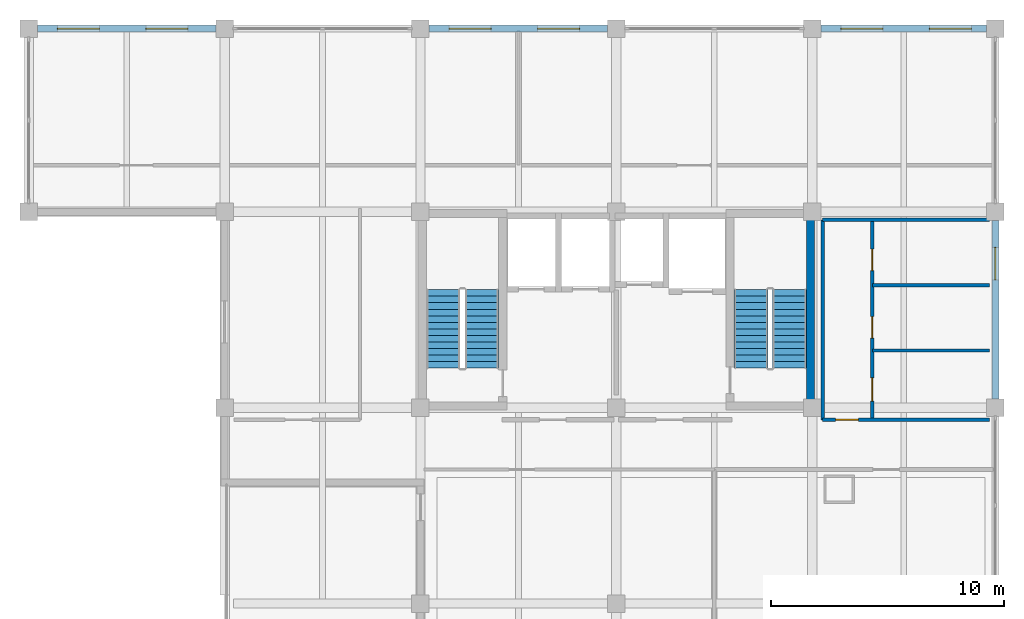
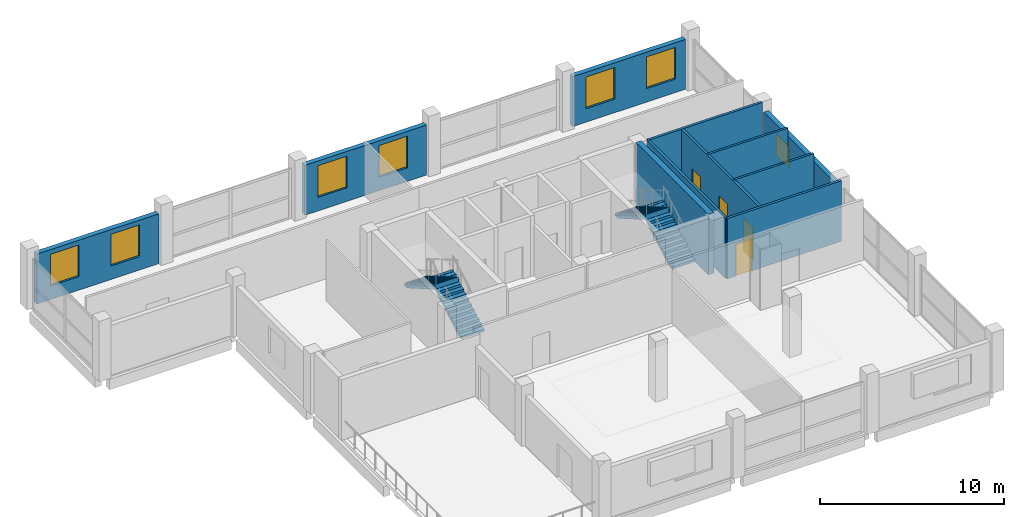
# One storey, part 8 of 10: 11 walls, 7 windows, 4 doors, 4 stair flights, 11 openings, 2 elements without a shape of their own.
"""IFC4 building model written with IfcOpenShell, lengths in metres."""

from ifc_helpers import new_model, si_unit, direction, frame, frame_2d, origin, place, context, subcontext, project, spatial, polyline, rectangle, outline, extrude, material, layer, layer_set, type_object, element, fill, aggregate, save


model = new_model("IFC4")

# Units and contexts
model_context = context("Model", 3, precision=1e-05, world=origin(), true_north=direction((0.0, 1.0)))
body_context = subcontext(model_context, "Body", "Model", "MODEL_VIEW")
ifc_project = project(units=[si_unit("LENGTHUNIT", "METRE"), si_unit("AREAUNIT", "SQUARE_METRE"), si_unit("VOLUMEUNIT", "CUBIC_METRE"), si_unit("PLANEANGLEUNIT", "RADIAN"), si_unit("MASSUNIT", "GRAM", prefix="KILO")], contexts=[model_context])

# Site, building, storey
site_placement = place(None, origin())
site = spatial("IfcSite", under=ifc_project, at=site_placement, CompositionType="ELEMENT")
building_placement = place(site_placement, origin())
building = spatial("IfcBuilding", under=site, at=building_placement, Name="Brinegate Botanical Conservatory", CompositionType="ELEMENT")
storey_placement = place(building_placement, frame((0.0, 0.0, 44.39990234375)))
storey = spatial("IfcBuildingStorey", under=building, at=storey_placement, Name="L11", CompositionType="ELEMENT", Elevation=44.39990234375)

# Wall, openings, windows
ifc_material_1 = material(Name="Insulated Minnan red clay brick masonry", Category="masonry")
ifc_layer_1 = layer(ifc_material_1, 0.300048828125, Name="Insulated Minnan red clay brick masonry", Category="masonry")
ifc_layer_set_1 = layer_set([ifc_layer_1], Name="Insulated Minnan red clay brick masonry")
wall_type_1 = type_object("IfcWallType", Name="Wall_EW-300B", PredefinedType="STANDARD", material=ifc_layer_set_1)
wall_1_placement = place(storey_placement, frame((122.375, 111.449951171875, 0.0), z_axis=(0.0, 0.0, 1.0), x_axis=(1.0, 0.0, 0.0)))
wall_1 = element("IfcWall", 1, at=wall_1_placement, inside=storey, type_object=wall_type_1, Name="Research lab north brick wall L11.1", PredefinedType="STANDARD", context=body_context, shape_type="SweptSolid", body=[
    extrude(rectangle(XDim=7.64990234375, YDim=0.300048828125, at=frame_2d((3.824951171875, 0.0))), origin(), (0.0, 0.0, 1.0), 3.31005859375),
])
opening_1_placement = place(wall_1_placement, frame((0.85009765625, 0.0, 0.89990234375)))
opening_1 = element("IfcOpeningElement", 2, at=opening_1_placement, cuts=wall_1, Name="Opening WN-01", PredefinedType="OPENING", context=body_context, shape_type="SweptSolid", body=[
    extrude(rectangle(XDim=1.800048828125, YDim=2.10009765625, at=frame_2d((0.89990234375, 1.050048828125))), frame((0.0, 0.159912109375, 0.0), z_axis=(0.0, -1.0, 0.0), x_axis=(1.0, 0.0, 0.0)), (0.0, 0.0, 1.0), 0.320068359375),
])
opening_2_placement = place(wall_1_placement, frame((4.64990234375, 0.0, 0.89990234375)))
opening_2 = element("IfcOpeningElement", 3, at=opening_2_placement, cuts=wall_1, Name="Opening WN-01", PredefinedType="OPENING", context=body_context, shape_type="SweptSolid", body=[
    extrude(rectangle(XDim=1.800048828125, YDim=2.10009765625, at=frame_2d((0.89990234375, 1.050048828125))), frame((0.0, 0.159912109375, 0.0), z_axis=(0.0, -1.0, 0.0), x_axis=(1.0, 0.0, 0.0)), (0.0, 0.0, 1.0), 0.320068359375),
])
ifc_material_2 = material(Name="Thermally broken aluminium-framed Low-E glass", Category="aluminium")
window_type_1 = type_object("IfcWindowType", Name="Win_WN-01", PartitioningType="DOUBLE_PANEL_VERTICAL", PredefinedType="WINDOW", material=ifc_material_2)
window_1_placement = place(opening_1_placement, origin())
window_1 = element("IfcWindow", 4, at=window_1_placement, inside=storey, type_object=window_type_1, Name="Research lab north window L11.1A", OverallHeight=2.10009765625, OverallWidth=1.800048828125, PartitioningType="DOUBLE_PANEL_VERTICAL", PredefinedType="WINDOW", context=body_context, shape_type="SweptSolid", body=[
    extrude(rectangle(XDim=1.800048828125, YDim=2.10009765625, at=frame_2d((0.89990234375, 1.050048828125))), frame((0.0, 0.030029296875, 0.0), z_axis=(0.0, -1.0, 0.0), x_axis=(1.0, 0.0, 0.0)), (0.0, 0.0, 1.0), 0.06005859375),
])
fill(opening_1, window_1)
window_2_placement = place(opening_2_placement, origin())
window_2 = element("IfcWindow", 5, at=window_2_placement, inside=storey, type_object=window_type_1, Name="Research lab north window L11.1B", OverallHeight=2.10009765625, OverallWidth=1.800048828125, PartitioningType="DOUBLE_PANEL_VERTICAL", PredefinedType="WINDOW", context=body_context, shape_type="SweptSolid", body=[
    extrude(rectangle(XDim=1.800048828125, YDim=2.10009765625, at=frame_2d((0.89990234375, 1.050048828125))), frame((0.0, 0.030029296875, 0.0), z_axis=(0.0, -1.0, 0.0), x_axis=(1.0, 0.0, 0.0)), (0.0, 0.0, 1.0), 0.06005859375),
])
fill(opening_2, window_2)

wall_2_placement = place(storey_placement, frame((139.175048828125, 111.449951171875, 0.0), z_axis=(0.0, 0.0, 1.0), x_axis=(1.0, 0.0, 0.0)))
wall_2 = element("IfcWall", 6, at=wall_2_placement, inside=storey, type_object=wall_type_1, Name="Research lab north brick wall L11.3", PredefinedType="STANDARD", context=body_context, shape_type="SweptSolid", body=[
    extrude(rectangle(XDim=7.64990234375, YDim=0.300048828125, at=frame_2d((3.824951171875, 0.0))), origin(), (0.0, 0.0, 1.0), 3.31005859375),
])
opening_3_placement = place(wall_2_placement, frame((0.85009765625, 0.0, 0.89990234375)))
opening_3 = element("IfcOpeningElement", 7, at=opening_3_placement, cuts=wall_2, Name="Opening WN-01", PredefinedType="OPENING", context=body_context, shape_type="SweptSolid", body=[
    extrude(rectangle(XDim=1.800048828125, YDim=2.10009765625, at=frame_2d((0.89990234375, 1.050048828125))), frame((0.0, 0.159912109375, 0.0), z_axis=(0.0, -1.0, 0.0), x_axis=(1.0, 0.0, 0.0)), (0.0, 0.0, 1.0), 0.320068359375),
])
opening_4_placement = place(wall_2_placement, frame((4.64990234375, 0.0, 0.89990234375)))
opening_4 = element("IfcOpeningElement", 8, at=opening_4_placement, cuts=wall_2, Name="Opening WN-01", PredefinedType="OPENING", context=body_context, shape_type="SweptSolid", body=[
    extrude(rectangle(XDim=1.800048828125, YDim=2.10009765625, at=frame_2d((0.89990234375, 1.050048828125))), frame((0.0, 0.159912109375, 0.0), z_axis=(0.0, -1.0, 0.0), x_axis=(1.0, 0.0, 0.0)), (0.0, 0.0, 1.0), 0.320068359375),
])
window_3_placement = place(opening_3_placement, origin())
window_3 = element("IfcWindow", 9, at=window_3_placement, inside=storey, type_object=window_type_1, Name="Research lab north window L11.3A", OverallHeight=2.10009765625, OverallWidth=1.800048828125, PartitioningType="DOUBLE_PANEL_VERTICAL", PredefinedType="WINDOW", context=body_context, shape_type="SweptSolid", body=[
    extrude(rectangle(XDim=1.800048828125, YDim=2.10009765625, at=frame_2d((0.89990234375, 1.050048828125))), frame((0.0, 0.030029296875, 0.0), z_axis=(0.0, -1.0, 0.0), x_axis=(1.0, 0.0, 0.0)), (0.0, 0.0, 1.0), 0.06005859375),
])
fill(opening_3, window_3)
window_4_placement = place(opening_4_placement, origin())
window_4 = element("IfcWindow", 10, at=window_4_placement, inside=storey, type_object=window_type_1, Name="Research lab north window L11.3B", OverallHeight=2.10009765625, OverallWidth=1.800048828125, PartitioningType="DOUBLE_PANEL_VERTICAL", PredefinedType="WINDOW", context=body_context, shape_type="SweptSolid", body=[
    extrude(rectangle(XDim=1.800048828125, YDim=2.10009765625, at=frame_2d((0.89990234375, 1.050048828125))), frame((0.0, 0.030029296875, 0.0), z_axis=(0.0, -1.0, 0.0), x_axis=(1.0, 0.0, 0.0)), (0.0, 0.0, 1.0), 0.06005859375),
])
fill(opening_4, window_4)

wall_3_placement = place(storey_placement, frame((155.97509765625, 111.449951171875, 0.0), z_axis=(0.0, 0.0, 1.0), x_axis=(1.0, 0.0, 0.0)))
wall_3 = element("IfcWall", 11, at=wall_3_placement, inside=storey, type_object=wall_type_1, Name="Research lab north brick wall L11.5", PredefinedType="STANDARD", context=body_context, shape_type="SweptSolid", body=[
    extrude(rectangle(XDim=7.099853515625, YDim=0.300048828125, at=frame_2d((3.5498046875, 0.0))), origin(), (0.0, 0.0, 1.0), 3.31005859375),
])
opening_5_placement = place(wall_3_placement, frame((0.85009765625, 0.0, 0.89990234375)))
opening_5 = element("IfcOpeningElement", 12, at=opening_5_placement, cuts=wall_3, Name="Opening WN-01", PredefinedType="OPENING", context=body_context, shape_type="SweptSolid", body=[
    extrude(rectangle(XDim=1.800048828125, YDim=2.10009765625, at=frame_2d((0.89990234375, 1.050048828125))), frame((0.0, 0.159912109375, 0.0), z_axis=(0.0, -1.0, 0.0), x_axis=(1.0, 0.0, 0.0)), (0.0, 0.0, 1.0), 0.320068359375),
])
opening_6_placement = place(wall_3_placement, frame((4.64990234375, 0.0, 0.89990234375)))
opening_6 = element("IfcOpeningElement", 13, at=opening_6_placement, cuts=wall_3, Name="Opening WN-01", PredefinedType="OPENING", context=body_context, shape_type="SweptSolid", body=[
    extrude(rectangle(XDim=1.800048828125, YDim=2.10009765625, at=frame_2d((0.89990234375, 1.050048828125))), frame((0.0, 0.159912109375, 0.0), z_axis=(0.0, -1.0, 0.0), x_axis=(1.0, 0.0, 0.0)), (0.0, 0.0, 1.0), 0.320068359375),
])
window_5_placement = place(opening_5_placement, origin())
window_5 = element("IfcWindow", 14, at=window_5_placement, inside=storey, type_object=window_type_1, Name="Research lab north window L11.5A", OverallHeight=2.10009765625, OverallWidth=1.800048828125, PartitioningType="DOUBLE_PANEL_VERTICAL", PredefinedType="WINDOW", context=body_context, shape_type="SweptSolid", body=[
    extrude(rectangle(XDim=1.800048828125, YDim=2.10009765625, at=frame_2d((0.89990234375, 1.050048828125))), frame((0.0, 0.030029296875, 0.0), z_axis=(0.0, -1.0, 0.0), x_axis=(1.0, 0.0, 0.0)), (0.0, 0.0, 1.0), 0.06005859375),
])
fill(opening_5, window_5)
window_6_placement = place(opening_6_placement, origin())
window_6 = element("IfcWindow", 15, at=window_6_placement, inside=storey, type_object=window_type_1, Name="Research lab north window L11.5B", OverallHeight=2.10009765625, OverallWidth=1.800048828125, PartitioningType="DOUBLE_PANEL_VERTICAL", PredefinedType="WINDOW", context=body_context, shape_type="SweptSolid", body=[
    extrude(rectangle(XDim=1.800048828125, YDim=2.10009765625, at=frame_2d((0.89990234375, 1.050048828125))), frame((0.0, 0.030029296875, 0.0), z_axis=(0.0, -1.0, 0.0), x_axis=(1.0, 0.0, 0.0)), (0.0, 0.0, 1.0), 0.06005859375),
])
fill(opening_6, window_6)

# Wall, opening, window
wall_4_placement = place(storey_placement, frame((163.449951171875, 103.22509765625, 0.0), z_axis=(0.0, 0.0, 1.0), x_axis=(0.0, -1.0, 0.0)))
wall_4 = element("IfcWall", 16, at=wall_4_placement, inside=storey, type_object=wall_type_1, Name="Tower east brick wall L11.3", PredefinedType="STANDARD", context=body_context, shape_type="SweptSolid", body=[
    extrude(rectangle(XDim=7.650146484375, YDim=0.300048828125, at=frame_2d((3.8251953125, 0.0))), origin(), (0.0, 0.0, 1.0), 3.31005859375),
])
opening_7_placement = place(wall_4_placement, frame((1.14990234375, 0.0, 1.10009765625)))
opening_7 = element("IfcOpeningElement", 17, at=opening_7_placement, cuts=wall_4, Name="Opening WN-16", PredefinedType="OPENING", context=body_context, shape_type="SweptSolid", body=[
    extrude(rectangle(XDim=1.39990234375, YDim=1.39990234375, at=frame_2d((0.699951171875, 0.699951171875))), frame((0.0, 0.159912109375, 0.0), z_axis=(0.0, -1.0, 0.0), x_axis=(1.0, 0.0, 0.0)), (0.0, 0.0, 1.0), 0.320068359375),
])
window_type_2 = type_object("IfcWindowType", Name="Win_WN-16", PartitioningType="SINGLE_PANEL", PredefinedType="WINDOW", material=ifc_material_2)
window_7_placement = place(opening_7_placement, origin())
window_7 = element("IfcWindow", 18, at=window_7_placement, inside=storey, type_object=window_type_2, Name="Tower east window L11.3", OverallHeight=1.39990234375, OverallWidth=1.39990234375, PartitioningType="SINGLE_PANEL", PredefinedType="WINDOW", context=body_context, shape_type="SweptSolid", body=[
    extrude(rectangle(XDim=1.39990234375, YDim=1.39990234375, at=frame_2d((0.699951171875, 0.699951171875))), frame((0.0, 0.030029296875, 0.0), z_axis=(0.0, -1.0, 0.0), x_axis=(1.0, 0.0, 0.0)), (0.0, 0.0, 1.0), 0.06005859375),
])
fill(opening_7, window_7)

# Walls
ifc_material_3 = material(Name="Gypsum-clad steel-stud partition", Category="steel")
ifc_layer_2 = layer(ifc_material_3, 0.135009765625, Name="Gypsum-clad steel-stud partition", Category="steel")
ifc_layer_set_2 = layer_set([ifc_layer_2], Name="Gypsum-clad steel-stud partition")
wall_type_2 = type_object("IfcWallType", Name="Wall_PW-135", PredefinedType="PARTITIONING", material=ifc_layer_set_2)
for number, where, z_axis, x_axis, name in (
    (19, (158.179931640625, 97.64990234375, 0.0), (0.0, 0.0, 1.0), (1.0, 0.0, 0.0), "Interior partition P-L11-WCD-9765"),
    (20, (158.179931640625, 100.449951171875, 0.0), (0.0, 0.0, 1.0), (1.0, 0.0, 0.0), "Interior partition P-L11-WCD-10045"),
):
    element("IfcWall", number, at=place(storey_placement, frame(where, z_axis=z_axis, x_axis=x_axis)), inside=storey, type_object=wall_type_2, Name=name, PredefinedType="PARTITIONING", context=body_context, shape_type="SweptSolid", body=[
        extrude(rectangle(XDim=5.02001953125, YDim=0.135009765625, at=frame_2d((2.510009765625, 0.0))), origin(), (0.0, 0.0, 1.0), 4.010009765625),
    ])

# Wall, opening, door
ifc_material_4 = material(Name="Moisture-resistant cement-board partition", Category="gypsum")
ifc_layer_3 = layer(ifc_material_4, 0.14990234375, Name="Moisture-resistant cement-board partition", Category="gypsum")
ifc_layer_set_3 = layer_set([ifc_layer_3], Name="Moisture-resistant cement-board partition")
wall_type_3 = type_object("IfcWallType", Name="Wall_PW-150W", PredefinedType="PARTITIONING", material=ifc_layer_set_3)
wall_5_placement = place(storey_placement, frame((156.050048828125, 94.679931640625, 0.0), z_axis=(0.0, 0.0, 1.0), x_axis=(1.0, 0.0, 0.0)))
wall_5 = element("IfcWall", 21, at=wall_5_placement, inside=storey, type_object=wall_type_3, Name="Interior partition P-L11-WCS", PredefinedType="PARTITIONING", context=body_context, shape_type="SweptSolid", body=[
    extrude(rectangle(XDim=7.14990234375, YDim=0.14990234375, at=frame_2d((3.574951171875, 0.0))), origin(), (0.0, 0.0, 1.0), 4.010009765625),
])
opening_8_placement = place(wall_5_placement, frame((0.550048828125, 0.0, 0.0)))
opening_8 = element("IfcOpeningElement", 22, at=opening_8_placement, cuts=wall_5, Name="Opening DR-03", PredefinedType="OPENING", context=body_context, shape_type="SweptSolid", body=[
    extrude(rectangle(XDim=0.97998046875, YDim=2.1201171875, at=frame_2d((0.489990234375, 1.06005859375))), frame((0.0, 0.0849609375, 0.0), z_axis=(0.0, -1.0, 0.0), x_axis=(1.0, 0.0, 0.0)), (0.0, 0.0, 1.0), 0.169921875),
])
ifc_material_5 = material(Name="Steel-core hardwood smoke-sealed fire door", Category="steel")
door_type_1 = type_object("IfcDoorType", Name="Door_DR-03", OperationType="NOTDEFINED", PredefinedType="DOOR", material=ifc_material_5)
door_1_placement = place(opening_8_placement, origin())
door_1 = element("IfcDoor", 23, at=door_1_placement, inside=storey, type_object=door_type_1, Name="DR-P-L11-WCS-1", OperationType="SINGLE_SWING_LEFT", OverallHeight=2.1201171875, OverallWidth=0.97998046875, PredefinedType="DOOR", context=body_context, shape_type="SweptSolid", body=[
    extrude(rectangle(XDim=0.97998046875, YDim=2.1201171875, at=frame_2d((0.489990234375, 1.06005859375))), frame((0.0, 0.02490234375, 0.0), z_axis=(0.0, -1.0, 0.0), x_axis=(1.0, 0.0, 0.0)), (0.0, 0.0, 1.0), 0.050048828125),
])
fill(opening_8, door_1)

# Wall, openings, doors
wall_6_placement = place(storey_placement, frame((158.179931640625, 94.679931640625, 0.0), z_axis=(0.0, 0.0, 1.0), x_axis=(0.0, 1.0, 0.0)))
wall_6 = element("IfcWall", 24, at=wall_6_placement, inside=storey, type_object=wall_type_3, Name="Interior partition P-L11-WCW", PredefinedType="PARTITIONING", context=body_context, shape_type="SweptSolid", body=[
    extrude(rectangle(XDim=8.570068359375, YDim=0.14990234375, at=frame_2d((4.28515625, 0.0))), origin(), (0.0, 0.0, 1.0), 4.010009765625),
])
opening_9_placement = place(wall_6_placement, frame((0.800048828125, 0.0, 0.0)))
opening_9 = element("IfcOpeningElement", 25, at=opening_9_placement, cuts=wall_6, Name="Opening DR-ACC", PredefinedType="OPENING", context=body_context, shape_type="SweptSolid", body=[
    extrude(rectangle(XDim=1.0, YDim=2.1201171875, at=frame_2d((0.5, 1.06005859375))), frame((0.0, 0.0849609375, 0.0), z_axis=(0.0, -1.0, 0.0), x_axis=(1.0, 0.0, 0.0)), (0.0, 0.0, 1.0), 0.169921875),
])
opening_10_placement = place(wall_6_placement, frame((3.5, 0.0, 0.0)))
opening_10 = element("IfcOpeningElement", 26, at=opening_10_placement, cuts=wall_6, Name="Opening DR-04", PredefinedType="OPENING", context=body_context, shape_type="SweptSolid", body=[
    extrude(rectangle(XDim=0.919921875, YDim=2.10009765625, at=frame_2d((0.4599609375, 1.050048828125))), frame((0.0, 0.0849609375, 0.0), z_axis=(0.0, -1.0, 0.0), x_axis=(1.0, 0.0, 0.0)), (0.0, 0.0, 1.0), 0.169921875),
])
opening_11_placement = place(wall_6_placement, frame((6.39990234375, 0.0, 0.0)))
opening_11 = element("IfcOpeningElement", 27, at=opening_11_placement, cuts=wall_6, Name="Opening DR-04", PredefinedType="OPENING", context=body_context, shape_type="SweptSolid", body=[
    extrude(rectangle(XDim=0.919921875, YDim=2.10009765625, at=frame_2d((0.4599609375, 1.050048828125))), frame((0.0, 0.0849609375, 0.0), z_axis=(0.0, -1.0, 0.0), x_axis=(1.0, 0.0, 0.0)), (0.0, 0.0, 1.0), 0.169921875),
])
ifc_material_6 = material(Name="Moisture-resistant laminate timber leaf", Category="wood")
door_type_2 = type_object("IfcDoorType", Name="Door_DR-04", OperationType="NOTDEFINED", PredefinedType="DOOR", material=ifc_material_6)
door_2_placement = place(opening_10_placement, origin())
door_2 = element("IfcDoor", 28, at=door_2_placement, inside=storey, type_object=door_type_2, Name="DR-P-L11-WCW-2", OperationType="SINGLE_SWING_RIGHT", OverallHeight=2.10009765625, OverallWidth=0.919921875, PredefinedType="DOOR", context=body_context, shape_type="SweptSolid", body=[
    extrude(rectangle(XDim=0.919921875, YDim=2.10009765625, at=frame_2d((0.4599609375, 1.050048828125))), frame((0.0, 0.02490234375, 0.0), z_axis=(0.0, -1.0, 0.0), x_axis=(1.0, 0.0, 0.0)), (0.0, 0.0, 1.0), 0.050048828125),
])
fill(opening_10, door_2)
door_3_placement = place(opening_11_placement, origin())
door_3 = element("IfcDoor", 29, at=door_3_placement, inside=storey, type_object=door_type_2, Name="DR-P-L11-WCW-3", OperationType="SINGLE_SWING_LEFT", OverallHeight=2.10009765625, OverallWidth=0.919921875, PredefinedType="DOOR", context=body_context, shape_type="SweptSolid", body=[
    extrude(rectangle(XDim=0.919921875, YDim=2.10009765625, at=frame_2d((0.4599609375, 1.050048828125))), frame((0.0, 0.02490234375, 0.0), z_axis=(0.0, -1.0, 0.0), x_axis=(1.0, 0.0, 0.0)), (0.0, 0.0, 1.0), 0.050048828125),
])
fill(opening_11, door_3)
ifc_material_7 = material(Name="Moisture-resistant barrier-free timber leaf", Category="wood")
door_type_3 = type_object("IfcDoorType", Name="Door_DR-ACC", OperationType="NOTDEFINED", PredefinedType="DOOR", material=ifc_material_7)
door_4_placement = place(opening_9_placement, origin())
door_4 = element("IfcDoor", 30, at=door_4_placement, inside=storey, type_object=door_type_3, Name="DR-P-L11-WCW-1", OperationType="SINGLE_SWING_LEFT", OverallHeight=2.1201171875, OverallWidth=1.0, PredefinedType="DOOR", context=body_context, shape_type="SweptSolid", body=[
    extrude(rectangle(XDim=1.0, YDim=2.1201171875, at=frame_2d((0.5, 1.06005859375))), frame((0.0, 0.02490234375, 0.0), z_axis=(0.0, -1.0, 0.0), x_axis=(1.0, 0.0, 0.0)), (0.0, 0.0, 1.0), 0.050048828125),
])
fill(opening_9, door_4)

# Walls
wall_7_placement = place(storey_placement, frame((156.050048828125, 103.25, 0.0), z_axis=(0.0, 0.0, 1.0), x_axis=(1.0, 0.0, 0.0)))
element("IfcWall", 31, at=wall_7_placement, inside=storey, type_object=wall_type_3, Name="Interior partition P-L11-WCN", PredefinedType="PARTITIONING", context=body_context, shape_type="SweptSolid", body=[
    extrude(rectangle(XDim=7.14990234375, YDim=0.14990234375, at=frame_2d((3.574951171875, 0.0))), origin(), (0.0, 0.0, 1.0), 4.010009765625),
])
wall_8_placement = place(storey_placement, frame((156.050048828125, 94.679931640625, 0.0), z_axis=(0.0, 0.0, 1.0), x_axis=(0.0, 1.0, 0.0)))
element("IfcWall", 32, at=wall_8_placement, inside=storey, type_object=wall_type_3, Name="Interior partition P-L11-WCWW", PredefinedType="PARTITIONING", context=body_context, shape_type="SweptSolid", body=[
    extrude(rectangle(XDim=8.570068359375, YDim=0.14990234375, at=frame_2d((4.28515625, 0.0))), origin(), (0.0, 0.0, 1.0), 4.010009765625),
])
ifc_material_8 = material(Name="Concrete C40/50", Category="concrete")
ifc_layer_4 = layer(ifc_material_8, 0.35009765625, Name="Concrete C40/50", Category="concrete")
ifc_layer_set_4 = layer_set([ifc_layer_4], Name="Concrete C40/50")
wall_type_4 = type_object("IfcWallType", Name="Wall_SW-350", PredefinedType="SHEAR", material=ifc_layer_set_4)
wall_9_placement = place(storey_placement, frame((155.52490234375, 95.449951171875, 0.0), z_axis=(0.0, 0.0, 1.0), x_axis=(0.0, 1.0, 0.0)))
element("IfcWall", 33, at=wall_9_placement, inside=storey, type_object=wall_type_4, Name="Stairwell ST2 shear wall L11 E", PredefinedType="SHEAR", context=body_context, shape_type="SweptSolid", body=[
    extrude(rectangle(XDim=7.900146484375, YDim=0.35009765625, at=frame_2d((3.9501953125, 0.0))), origin(), (0.0, 0.0, 1.0), 4.010009765625),
])

# Stair, stair flights
stair_type = type_object("IfcStairType", Name="Stair_HT-4200", PredefinedType="HALF_TURN_STAIR", material=ifc_material_8)
stair_1_placement = place(storey_placement, origin())
stair_1 = element("IfcStair", 34, at=stair_1_placement, inside=storey, type_object=stair_type, Name="L11 Tower West Smoke-Proof Stair ST1", PredefinedType="HALF_TURN_STAIR")
stair_flight_type = type_object("IfcStairFlightType", Name="Flight_SF-4200", PredefinedType="STRAIGHT", material=ifc_material_8)
stair_flight_1_placement = place(storey_placement, frame((141.425048828125, 96.89990234375, 0.0), z_axis=(0.0, 0.0, 1.0), x_axis=(0.0, 1.0, 0.0)))
stair_flight_1 = element("IfcStairFlight", 35, at=stair_flight_1_placement, type_object=stair_flight_type, Name="ST1 flight 1", NumberOfRisers=13, NumberOfTreads=12, PredefinedType="STRAIGHT", RiserHeight=0.161538462, TreadLength=0.28, context=body_context, shape_type="SweptSolid", body=[
    extrude(outline(polyline([(-0.00048828125, 0.0), (-0.00048828125, 0.16162109375), (0.280029296875, 0.16162109375), (0.280029296875, 0.322998046875), (0.56005859375, 0.322998046875), (0.56005859375, 0.484619140625), (0.840087890625, 0.484619140625), (0.840087890625, 0.646240234375), (1.1201171875, 0.646240234375), (1.1201171875, 0.8076171875), (1.39990234375, 0.8076171875), (1.39990234375, 0.96923828125), (1.679931640625, 0.96923828125), (1.679931640625, 1.130859375), (1.9599609375, 1.130859375), (1.9599609375, 1.292236328125), (2.239990234375, 1.292236328125), (2.239990234375, 1.453857421875), (2.52001953125, 1.453857421875), (2.52001953125, 1.615478515625), (2.800048828125, 1.615478515625), (2.800048828125, 1.77685546875), (3.080078125, 1.77685546875), (3.080078125, 1.9384765625), (3.360107421875, 1.9384765625), (3.360107421875, 2.10009765625), (3.360595703125, 2.10009765625), (3.360595703125, 1.765380859375), (0.300048828125, 0.0), (-0.00048828125, 0.0)])), frame((0.0, 0.72509765625, 0.0), z_axis=(0.0, -1.0, 0.0), x_axis=(1.0, 0.0, 0.0)), (0.0, 0.0, 1.0), 1.449951171875),
])
stair_flight_2_placement = place(storey_placement, frame((139.77490234375, 100.260009765625, 2.10009765625), z_axis=(0.0, 0.0, 1.0), x_axis=(0.0, -1.0, 0.0)))
stair_flight_2 = element("IfcStairFlight", 36, at=stair_flight_2_placement, type_object=stair_flight_type, Name="ST1 flight 2", NumberOfRisers=13, NumberOfTreads=12, PredefinedType="STRAIGHT", RiserHeight=0.161538462, TreadLength=0.28, context=body_context, shape_type="SweptSolid", body=[
    extrude(outline(polyline([(-0.00048828125, 0.0), (-0.00048828125, 0.16162109375), (0.280029296875, 0.16162109375), (0.280029296875, 0.322998046875), (0.56005859375, 0.322998046875), (0.56005859375, 0.484619140625), (0.840087890625, 0.484619140625), (0.840087890625, 0.646240234375), (1.1201171875, 0.646240234375), (1.1201171875, 0.8076171875), (1.39990234375, 0.8076171875), (1.39990234375, 0.96923828125), (1.679931640625, 0.96923828125), (1.679931640625, 1.130859375), (1.9599609375, 1.130859375), (1.9599609375, 1.292236328125), (2.239990234375, 1.292236328125), (2.239990234375, 1.453857421875), (2.52001953125, 1.453857421875), (2.52001953125, 1.615478515625), (2.800048828125, 1.615478515625), (2.800048828125, 1.77685546875), (3.080078125, 1.77685546875), (3.080078125, 1.9384765625), (3.360107421875, 1.9384765625), (3.360107421875, 2.10009765625), (3.360595703125, 2.10009765625), (3.360595703125, 1.765380859375), (0.300048828125, 0.0), (-0.00048828125, 0.0)])), frame((0.0, 0.72509765625, 0.0), z_axis=(0.0, -1.0, 0.0), x_axis=(1.0, 0.0, 0.0)), (0.0, 0.0, 1.0), 1.449951171875),
])
aggregate(stair_1, [stair_flight_1, stair_flight_2])

stair_2_placement = place(storey_placement, origin())
stair_2 = element("IfcStair", 37, at=stair_2_placement, inside=storey, type_object=stair_type, Name="L11 Tower East Smoke-Proof Stair ST2", PredefinedType="HALF_TURN_STAIR")
stair_flight_3_placement = place(storey_placement, frame((154.625, 96.89990234375, 0.0), z_axis=(0.0, 0.0, 1.0), x_axis=(0.0, 1.0, 0.0)))
stair_flight_3 = element("IfcStairFlight", 38, at=stair_flight_3_placement, type_object=stair_flight_type, Name="ST2 flight 1", NumberOfRisers=13, NumberOfTreads=12, PredefinedType="STRAIGHT", RiserHeight=0.161538462, TreadLength=0.28, context=body_context, shape_type="SweptSolid", body=[
    extrude(outline(polyline([(-0.00048828125, 0.0), (-0.00048828125, 0.16162109375), (0.280029296875, 0.16162109375), (0.280029296875, 0.322998046875), (0.56005859375, 0.322998046875), (0.56005859375, 0.484619140625), (0.840087890625, 0.484619140625), (0.840087890625, 0.646240234375), (1.1201171875, 0.646240234375), (1.1201171875, 0.8076171875), (1.39990234375, 0.8076171875), (1.39990234375, 0.96923828125), (1.679931640625, 0.96923828125), (1.679931640625, 1.130859375), (1.9599609375, 1.130859375), (1.9599609375, 1.292236328125), (2.239990234375, 1.292236328125), (2.239990234375, 1.453857421875), (2.52001953125, 1.453857421875), (2.52001953125, 1.615478515625), (2.800048828125, 1.615478515625), (2.800048828125, 1.77685546875), (3.080078125, 1.77685546875), (3.080078125, 1.9384765625), (3.360107421875, 1.9384765625), (3.360107421875, 2.10009765625), (3.360595703125, 2.10009765625), (3.360595703125, 1.765380859375), (0.300048828125, 0.0), (-0.00048828125, 0.0)])), frame((0.0, 0.72509765625, 0.0), z_axis=(0.0, -1.0, 0.0), x_axis=(1.0, 0.0, 0.0)), (0.0, 0.0, 1.0), 1.449951171875),
])
stair_flight_4_placement = place(storey_placement, frame((152.97509765625, 100.260009765625, 2.10009765625), z_axis=(0.0, 0.0, 1.0), x_axis=(0.0, -1.0, 0.0)))
stair_flight_4 = element("IfcStairFlight", 39, at=stair_flight_4_placement, type_object=stair_flight_type, Name="ST2 flight 2", NumberOfRisers=13, NumberOfTreads=12, PredefinedType="STRAIGHT", RiserHeight=0.161538462, TreadLength=0.28, context=body_context, shape_type="SweptSolid", body=[
    extrude(outline(polyline([(-0.00048828125, 0.0), (-0.00048828125, 0.16162109375), (0.280029296875, 0.16162109375), (0.280029296875, 0.322998046875), (0.56005859375, 0.322998046875), (0.56005859375, 0.484619140625), (0.840087890625, 0.484619140625), (0.840087890625, 0.646240234375), (1.1201171875, 0.646240234375), (1.1201171875, 0.8076171875), (1.39990234375, 0.8076171875), (1.39990234375, 0.96923828125), (1.679931640625, 0.96923828125), (1.679931640625, 1.130859375), (1.9599609375, 1.130859375), (1.9599609375, 1.292236328125), (2.239990234375, 1.292236328125), (2.239990234375, 1.453857421875), (2.52001953125, 1.453857421875), (2.52001953125, 1.615478515625), (2.800048828125, 1.615478515625), (2.800048828125, 1.77685546875), (3.080078125, 1.77685546875), (3.080078125, 1.9384765625), (3.360107421875, 1.9384765625), (3.360107421875, 2.10009765625), (3.360595703125, 2.10009765625), (3.360595703125, 1.765380859375), (0.300048828125, 0.0), (-0.00048828125, 0.0)])), frame((0.0, 0.72509765625, 0.0), z_axis=(0.0, -1.0, 0.0), x_axis=(1.0, 0.0, 0.0)), (0.0, 0.0, 1.0), 1.449951171875),
])
aggregate(stair_2, [stair_flight_3, stair_flight_4])

save(model, "model.ifc")
